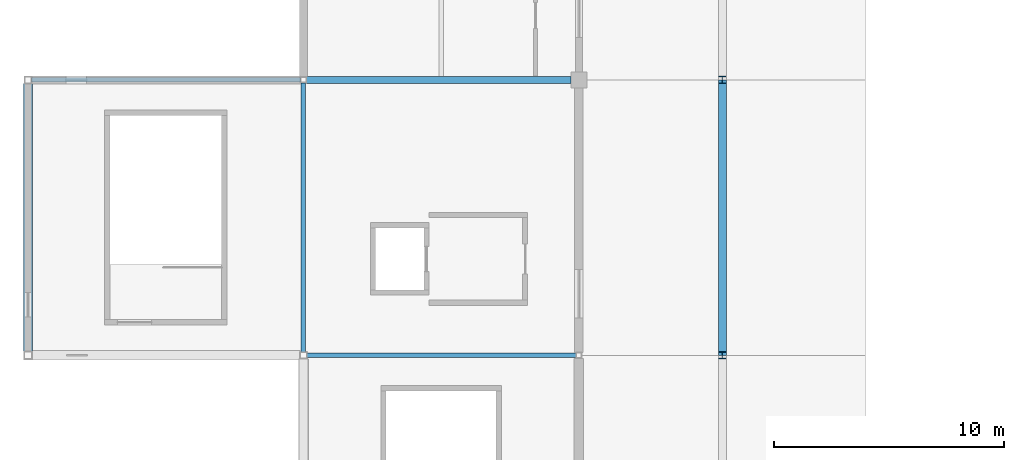
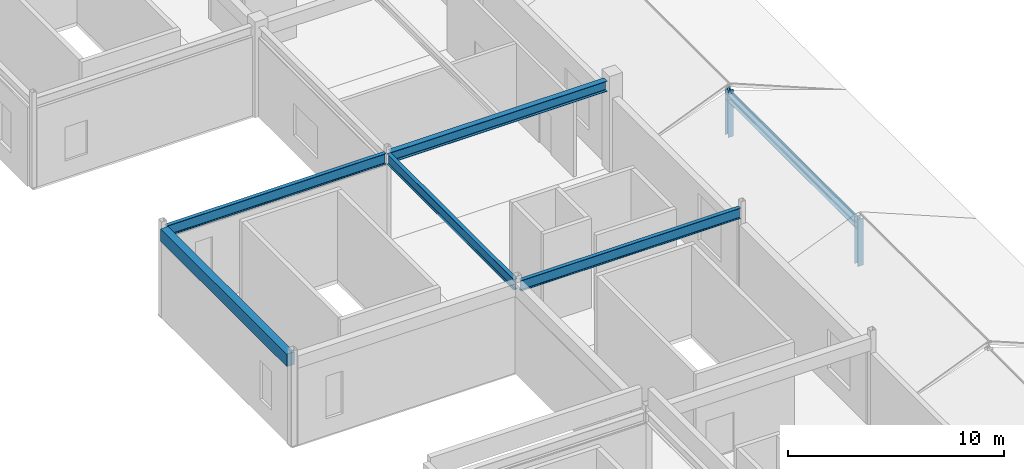
# One storey, part 32 of 76: 5 beams, 3 members.
"""IFC4 building model written with IfcOpenShell, lengths in metres."""

import ifcopenshell
import ifcopenshell.guid

model = None  # the IFC model being written
_history = None  # IfcOwnerHistory: only IFC2X3 demands one
_inside = {}  # id of a spatial element -> (the spatial element, [elements in it])
_under = {}  # id of a project, library or spatial element -> (it, [spatial elements below it])
_declared = {}  # id of a project -> (the project, [libraries it declares])
_typed = {}  # id of a type object -> (the type object, [elements of that type])
_made_of = {}  # id of a material, layer set ... -> (it, [elements and type objects made of it])


def new_model(schema):
    """Start an empty IFC model of exactly this schema.

    Asked for "IFC4X3", IfcOpenShell would pick the latest addendum, in which some entities
    have other attributes; the version numbers below select the first issue.
    IFC2X3 requires an IfcOwnerHistory on every rooted entity: one is made here for all.
    """
    global model, _history
    if schema == "IFC4X3":
        model = ifcopenshell.file(schema_version=(4, 3, 0, 0))
    else:
        model = ifcopenshell.file(schema=schema)
    _inside.clear()
    _under.clear()
    _declared.clear()
    _typed.clear()
    _made_of.clear()
    _history = None
    if model.schema == "IFC2X3":
        org = make("IfcOrganization", Name="unknown")
        user = make(
            "IfcPersonAndOrganization",
            ThePerson=make("IfcPerson", FamilyName="unknown"),
            TheOrganization=org,
        )
        app = make(
            "IfcApplication",
            ApplicationDeveloper=org,
            Version="unknown",
            ApplicationFullName="unknown",
            ApplicationIdentifier="unknown",
        )
        _history = make(
            "IfcOwnerHistory",
            OwningUser=user,
            OwningApplication=app,
            ChangeAction="ADDED",
            CreationDate=0,
        )
    return model


def make(cls, **values):
    """One entity of the class cls with the attributes given. An attribute that is None is left unset."""
    return model.create_entity(
        cls, **{name: value for name, value in values.items() if value is not None}
    )


def rooted(cls, **values):
    """An entity with a GlobalId (a new one), such as an element, a storey or a relation."""
    return make(cls, GlobalId=ifcopenshell.guid.new(), OwnerHistory=_history, **values)


def si_unit(unit_type, name, prefix=None):
    """IfcSIUnit, for example si_unit("LENGTHUNIT", "METRE", prefix="MILLI")."""
    return make("IfcSIUnit", UnitType=unit_type, Prefix=prefix, Name=name)


def assignment(units):
    """IfcUnitAssignment: the units of a project."""
    return None if units is None else make("IfcUnitAssignment", Units=units)


def point(xyz):
    """IfcCartesianPoint."""
    return None if xyz is None else make("IfcCartesianPoint", Coordinates=xyz)


def direction(xyz):
    """IfcDirection."""
    return None if xyz is None else make("IfcDirection", DirectionRatios=xyz)


def frame(location, z_axis=None, x_axis=None):
    """IfcAxis2Placement3D, a coordinate frame: its origin and axes. An axis left out is left unset."""
    return make(
        "IfcAxis2Placement3D",
        Location=point(location),
        Axis=direction(z_axis),
        RefDirection=direction(x_axis),
    )


def frame_2d(location, x_axis=None):
    """IfcAxis2Placement2D, a coordinate frame in the plane: its origin and x axis."""
    return make(
        "IfcAxis2Placement2D", Location=point(location), RefDirection=direction(x_axis)
    )


def origin():
    """The frame at (0, 0, 0) with its axes left unset."""
    return frame((0.0, 0.0, 0.0))


def origin_2d():
    """The frame at (0, 0) in the plane with its x axis left unset."""
    return frame_2d((0.0, 0.0))


def place(relative_to, where):
    """IfcLocalPlacement: puts the frame where relative to a parent placement (None: the world)."""
    return make(
        "IfcLocalPlacement", PlacementRelTo=relative_to, RelativePlacement=where
    )


def context(
    kind, dimensions, precision=None, world=None, true_north=None, identifier=None
):
    """IfcGeometricRepresentationContext, for example the 3D "Model" context."""
    return make(
        "IfcGeometricRepresentationContext",
        ContextIdentifier=identifier,
        ContextType=kind,
        CoordinateSpaceDimension=dimensions,
        Precision=precision,
        WorldCoordinateSystem=world,
        TrueNorth=true_north,
    )


def subcontext(parent, identifier, kind, view, scale=None):
    """IfcGeometricRepresentationSubContext, for example "Body" below "Model"."""
    return make(
        "IfcGeometricRepresentationSubContext",
        ContextIdentifier=identifier,
        ContextType=kind,
        ParentContext=parent,
        TargetScale=scale,
        TargetView=view,
    )


def project(units=None, contexts=None):
    """IfcProject with its units and contexts."""
    return rooted(
        "IfcProject",
        Name="project",
        RepresentationContexts=contexts,
        UnitsInContext=assignment(units),
    )


def spatial(cls, under=None, at=None, **own):
    """A site, building, storey or space (cls), placed at a placement, below another one or the project."""
    s = rooted(cls, ObjectPlacement=at, **own)
    if under is not None:
        _under.setdefault(under.id(), (under, []))[1].append(s)
    return s


def profile(cls, at=None, kind="AREA", **sizes):
    """A parametric profile (cls). Its sizes go by their IFC names, for example OverallWidth=200.0."""
    return make(cls, ProfileType=kind, Position=at, **sizes)


def rectangle(**sizes):
    """IfcRectangleProfileDef."""
    return profile("IfcRectangleProfileDef", **sizes)


def i_section(**sizes):
    """IfcIShapeProfileDef."""
    return profile("IfcIShapeProfileDef", **sizes)


def extrude(swept, where, along, depth):
    """IfcExtrudedAreaSolid: the profile swept, set in the frame where, extruded along a direction by depth."""
    return make(
        "IfcExtrudedAreaSolid",
        SweptArea=swept,
        Position=where,
        ExtrudedDirection=direction(along),
        Depth=depth,
    )


def shape(context_of_items, identifier, shape_type, items):
    """IfcShapeRepresentation: the items that make up one representation, for example the "Body"."""
    return make(
        "IfcShapeRepresentation",
        ContextOfItems=context_of_items,
        RepresentationIdentifier=identifier,
        RepresentationType=shape_type,
        Items=items,
    )


def material(Name=None, Category=None):
    """IfcMaterial."""
    return make("IfcMaterial", Name=Name, Category=Category)


def material_profile(
    of_material, cross_section, Name=None, Category=None, Priority=None
):
    """IfcMaterialProfile: a cross section and its material."""
    return make(
        "IfcMaterialProfile",
        Name=Name,
        Material=of_material,
        Profile=cross_section,
        Priority=Priority,
        Category=Category,
    )


def profile_set(profiles, Name=None, composite=None):
    """IfcMaterialProfileSet."""
    return make(
        "IfcMaterialProfileSet",
        Name=Name,
        MaterialProfiles=profiles,
        CompositeProfile=composite,
    )


def made_of(thing, what):
    """Note that an element or type object is made of a material, layer set ...; save() writes the relation."""
    if what is not None:
        _made_of.setdefault(what.id(), (what, []))[1].append(thing)
    return thing


def type_object(cls, material=None, **own):
    """A type object (cls), such as IfcWallType, which elements share."""
    return made_of(rooted(cls, **own), material)


def element(
    cls,
    number,
    at=None,
    inside=None,
    cuts=None,
    type_object=None,
    material=None,
    context=None,
    identifier="Body",
    shape_type=None,
    held_by="IfcProductDefinitionShape",
    body=None,
    shapes=None,
    **own,
):
    """One element of the class cls, such as IfcWall. Its Tag is "e" and its number.

    at: its placement. inside: the storey or other place that contains it. cuts: it is an
    opening in that element (IfcRelVoidsElement). A single representation is given by context,
    identifier, shape_type and body (its items); several are given by shapes. held_by: the class
    of the entity that holds the representations. save() writes the other relations.
    """
    e = rooted(cls, Tag="e%d" % number, ObjectPlacement=at, **own)
    if body is not None:
        shapes = [shape(context, identifier, shape_type, body)]
    if shapes is not None:
        e.Representation = make(held_by, Representations=shapes)
    if inside is not None:
        _inside.setdefault(inside.id(), (inside, []))[1].append(e)
    if cuts is not None:
        rooted(
            "IfcRelVoidsElement", RelatingBuildingElement=cuts, RelatedOpeningElement=e
        )
    if type_object is not None:
        _typed.setdefault(type_object.id(), (type_object, []))[1].append(e)
    return made_of(e, material)


def aggregate(whole, parts):
    """IfcRelAggregates: a whole, such as a stair, and the parts it consists of."""
    return rooted("IfcRelAggregates", RelatingObject=whole, RelatedObjects=parts)


def save(model, path):
    """Write the relations noted so far, then the file.

    IfcRelAggregates (storeys below a building ...), IfcRelContainedInSpatialStructure (elements
    in a storey), IfcRelDefinesByType, IfcRelAssociatesMaterial and IfcRelDeclares: one each for
    every whole, place, type object, material and project.
    """
    for whole, parts in _under.values():
        aggregate(whole, parts)
    for where, things in _inside.values():
        rooted(
            "IfcRelContainedInSpatialStructure",
            RelatedElements=things,
            RelatingStructure=where,
        )
    for kind, things in _typed.values():
        rooted("IfcRelDefinesByType", RelatedObjects=things, RelatingType=kind)
    for what, things in _made_of.values():
        rooted("IfcRelAssociatesMaterial", RelatedObjects=things, RelatingMaterial=what)
    for by, libraries in _declared.values():
        rooted("IfcRelDeclares", RelatingContext=by, RelatedDefinitions=libraries)
    model.write(path)


model = new_model("IFC4")

# Units and contexts
model_context = context("Model", 3, precision=1e-05, world=origin(), true_north=direction((0.0, 1.0)))
body_context = subcontext(model_context, "Body", "Model", "MODEL_VIEW")
ifc_project = project(units=[si_unit("LENGTHUNIT", "METRE"), si_unit("AREAUNIT", "SQUARE_METRE"), si_unit("VOLUMEUNIT", "CUBIC_METRE"), si_unit("PLANEANGLEUNIT", "RADIAN"), si_unit("MASSUNIT", "GRAM", prefix="KILO")], contexts=[model_context])

# Site, building, storey
site_placement = place(None, origin())
site = spatial("IfcSite", under=ifc_project, at=site_placement, CompositionType="ELEMENT")
building_placement = place(site_placement, origin())
building = spatial("IfcBuilding", under=site, at=building_placement, Name="Kazenohara Klinker Stadium", CompositionType="ELEMENT")
storey_placement = place(building_placement, frame((0.0, 0.0, 25.800048828125)))
storey = spatial("IfcBuildingStorey", under=building, at=storey_placement, Name="L05", CompositionType="ELEMENT", Elevation=25.800048828125)

# Beams
ifc_material_1 = material(Name="Concrete C40/50", Category="concrete")
ifc_material_profile_1 = material_profile(ifc_material_1, rectangle(XDim=0.39990234375, YDim=0.699951171875, at=origin_2d()), Name="RC-BM-400x700")
ifc_profile_set_1 = profile_set([ifc_material_profile_1], Name="Concrete C40/50")
beam_type_1 = type_object("IfcBeamType", Name="BM-RC04", PredefinedType="BEAM", material=ifc_profile_set_1)
beam_1_placement = place(storey_placement, frame((0.0, 108.175048828125, 4.68994140625), z_axis=(0.0, 1.0, 0.0), x_axis=(-1.0, 0.0, 0.0)))
element("IfcBeam", 1, at=beam_1_placement, inside=storey, type_object=beam_type_1, Name="Primary girder BG04 L05 1/K-L", PredefinedType="BEAM", context=body_context, shape_type="SweptSolid", body=[
    extrude(rectangle(XDim=0.39990234375, YDim=0.699951171875, at=origin_2d()), origin(), (0.0, 0.0, 1.0), 11.675048828125),
])
ifc_material_2 = material(Name="Steel S355", Category="steel")
ifc_material_profile_2 = material_profile(ifc_material_2, i_section(OverallWidth=0.199951171875, OverallDepth=0.60009765625, WebThickness=0.010986328125, FlangeThickness=0.01708984375, FilletRadius=0.012939453125, at=origin_2d()), Name="H-600x200x11x17")
ifc_profile_set_2 = profile_set([ifc_material_profile_2], Name="Steel S355")
beam_type_2 = type_object("IfcBeamType", Name="BM-ST04", PredefinedType="BEAM", material=ifc_profile_set_2)
for number, where, z_axis, x_axis, name in (
    (2, (0.14990234375, 120.0, 4.739990234375), (1.0, 0.0, 0.0), (0.0, 1.0, 0.0), "Primary girder SB04 L05 1-2/L"),
    (3, (12.14990234375, 108.0, 4.739990234375), (1.0, 0.0, 0.0), (0.0, 1.0, 0.0), "Primary girder SB04 L05 2-3/K"),
    (4, (12.0, 108.14990234375, 4.739990234375), (0.0, 1.0, 0.0), (-1.0, 0.0, 0.0), "Primary girder SB04 L05 2/K-L"),
):
    element("IfcBeam", number, at=place(storey_placement, frame(where, z_axis=z_axis, x_axis=x_axis)), inside=storey, type_object=beam_type_2, Name=name, PredefinedType="BEAM", context=body_context, shape_type="SweptSolid", body=[
        extrude(i_section(OverallWidth=0.199951171875, OverallDepth=0.60009765625, WebThickness=0.010986328125, FlangeThickness=0.01708984375, FilletRadius=0.012939453125, at=origin_2d()), origin(), (0.0, 0.0, 1.0), 11.72509765625),
    ])
ifc_material_profile_3 = material_profile(ifc_material_2, i_section(OverallWidth=0.300048828125, OverallDepth=0.587890625, WebThickness=0.011962890625, FlangeThickness=0.02001953125, FilletRadius=0.02197265625, at=origin_2d()), Name="H-588x300x12x20")
ifc_profile_set_3 = profile_set([ifc_material_profile_3], Name="Steel S355")
beam_type_3 = type_object("IfcBeamType", Name="BM-ST05", PredefinedType="BEAM", material=ifc_profile_set_3)
beam_2_placement = place(storey_placement, frame((12.125, 120.0, 4.745849609375), z_axis=(1.0, 0.0, 0.0), x_axis=(0.0, 1.0, 0.0)))
element("IfcBeam", 5, at=beam_2_placement, inside=storey, type_object=beam_type_3, Name="Primary girder SB05 L05 2-3/L", PredefinedType="BEAM", context=body_context, shape_type="SweptSolid", body=[
    extrude(i_section(OverallWidth=0.300048828125, OverallDepth=0.587890625, WebThickness=0.011962890625, FlangeThickness=0.02001953125, FilletRadius=0.02197265625, at=origin_2d()), origin(), (0.0, 0.0, 1.0), 11.52490234375),
])

# Members
ifc_material_profile_4 = material_profile(ifc_material_2, i_section(OverallWidth=0.35009765625, OverallDepth=0.35009765625, WebThickness=0.011962890625, FlangeThickness=0.01904296875, FilletRadius=0.012939453125, at=origin_2d()), Name="H-350x350x12x19")
ifc_profile_set_4 = profile_set([ifc_material_profile_4], Name="Steel S355")
member_type_1 = type_object("IfcMemberType", Name="MEM-CHD02", PredefinedType="CHORD", material=ifc_profile_set_4)
member_placement = place(storey_placement, frame((30.25, 108.0, 1.829833984375), z_axis=(0.0, 1.0, 0.0), x_axis=(-1.0, 0.0, 0.0)))
element("IfcMember", 6, at=member_placement, inside=storey, type_object=member_type_1, Name="Stepped pavilion gable ridge beam L05 3/K", PredefinedType="CHORD", context=body_context, shape_type="SweptSolid", body=[
    extrude(i_section(OverallWidth=0.35009765625, OverallDepth=0.35009765625, WebThickness=0.011962890625, FlangeThickness=0.01904296875, FilletRadius=0.012939453125, at=origin_2d()), origin(), (0.0, 0.0, 1.0), 12.0),
])
ifc_material_profile_5 = material_profile(ifc_material_2, i_section(OverallWidth=0.300048828125, OverallDepth=0.300048828125, WebThickness=0.010009765625, FlangeThickness=0.014892578125, FilletRadius=0.012939453125, at=origin_2d()), Name="H-300x300x10x15")
ifc_profile_set_5 = profile_set([ifc_material_profile_5], Name="Steel S355")
member_type_2 = type_object("IfcMemberType", Name="MEM-STR01", PredefinedType="STRUT", material=ifc_profile_set_5)
for number, where, z_axis, x_axis, name in (
    (7, (30.25, 108.0, -0.429931640625), (0.0, 0.0, 1.0), (1.0, 0.0, 0.0), "Stepped pavilion gable king-post L05 3/J N"),
    (8, (30.25, 120.0, -0.429931640625), (0.0, 0.0, 1.0), (1.0, 0.0, 0.0), "Stepped pavilion gable king-post L05 3/L S"),
):
    element("IfcMember", number, at=place(storey_placement, frame(where, z_axis=z_axis, x_axis=x_axis)), inside=storey, type_object=member_type_2, Name=name, PredefinedType="STRUT", context=body_context, shape_type="SweptSolid", body=[
        extrude(i_section(OverallWidth=0.300048828125, OverallDepth=0.300048828125, WebThickness=0.010009765625, FlangeThickness=0.014892578125, FilletRadius=0.012939453125, at=origin_2d()), origin(), (0.0, 0.0, 1.0), 2.659912109375),
    ])

save(model, "model.ifc")
